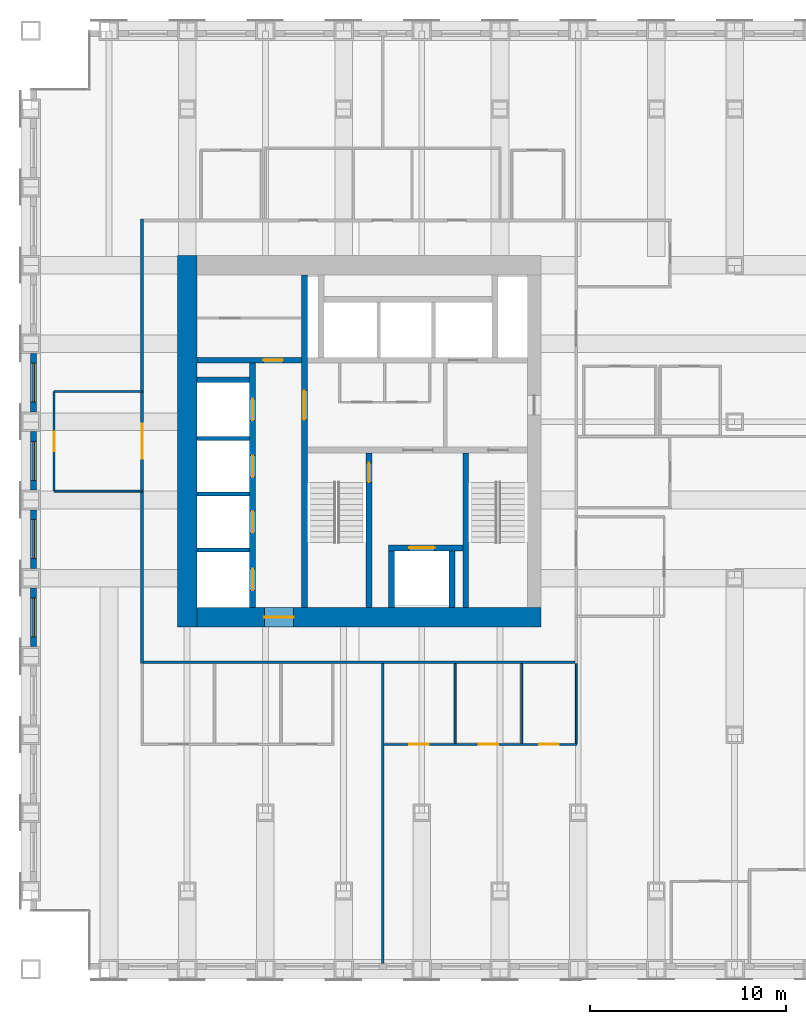
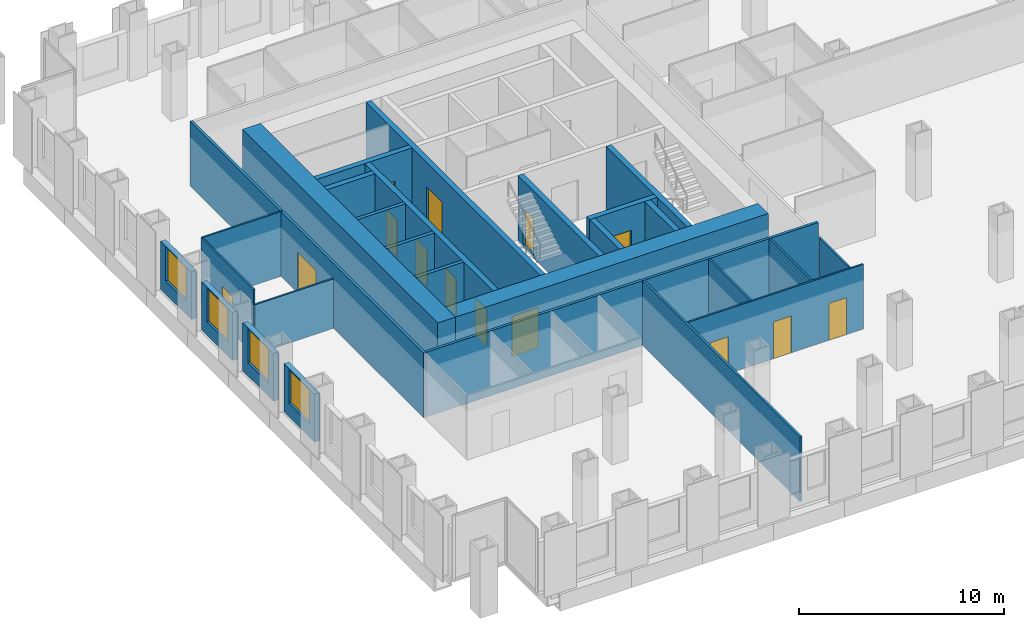
# One storey, part 11 of 16: 28 walls, 14 doors, 4 windows, 18 openings.
"""IFC4 building model written with IfcOpenShell, lengths in metres."""

from ifc_helpers import new_model, si_unit, direction, frame, frame_2d, origin, place, context, subcontext, project, spatial, rectangle, extrude, material, layer, layer_set, type_object, element, fill, save


model = new_model("IFC4")

# Units and contexts
model_context = context("Model", 3, precision=1e-05, world=origin(), true_north=direction((0.0, 1.0)))
body_context = subcontext(model_context, "Body", "Model", "MODEL_VIEW")
ifc_project = project(units=[si_unit("LENGTHUNIT", "METRE"), si_unit("AREAUNIT", "SQUARE_METRE"), si_unit("VOLUMEUNIT", "CUBIC_METRE"), si_unit("PLANEANGLEUNIT", "RADIAN"), si_unit("MASSUNIT", "GRAM", prefix="KILO")], contexts=[model_context])

# Site, building, storey
site_placement = place(None, origin())
site = spatial("IfcSite", under=ifc_project, at=site_placement, CompositionType="ELEMENT")
building_placement = place(site_placement, origin())
building = spatial("IfcBuilding", under=site, at=building_placement, Name="Rimbunsela Tower", CompositionType="ELEMENT")
storey_placement = place(building_placement, frame((0.0, 0.0, 97.39990234375)))
storey = spatial("IfcBuildingStorey", under=building, at=storey_placement, Name="L23", CompositionType="ELEMENT", Elevation=97.39990234375)

# Wall, opening, door
ifc_material_1 = material(Name="Concrete fc' 80 MPa", Category="concrete")
ifc_layer_1 = layer(ifc_material_1, 0.300048828125)
ifc_layer_set_1 = layer_set([ifc_layer_1], Name="Core internal wall 300")
wall_type_1 = type_object("IfcWallType", Name="Core internal wall 300", PredefinedType="SHEAR", material=ifc_layer_set_1)
wall_1_placement = place(storey_placement, frame((24.0, 18.5, -0.14990234375), z_axis=(0.0, 0.0, 1.0), x_axis=(0.0, 1.0, 0.0)))
wall_1 = element("IfcWall", 1, at=wall_1_placement, inside=storey, type_object=wall_type_1, Name="Core wall at stair A", PredefinedType="SHEAR", context=body_context, shape_type="SweptSolid", body=[
    extrude(rectangle(XDim=17.0, YDim=0.300048828125, at=frame_2d((8.5, 0.0))), origin(), (0.0, 0.0, 1.0), 4.0),
])
opening_1_placement = place(wall_1_placement, frame((9.60009765625, 0.0, 0.14990234375)))
opening_1 = element("IfcOpeningElement", 2, at=opening_1_placement, cuts=wall_1, Name="Opening D03", PredefinedType="OPENING", context=body_context, shape_type="SweptSolid", body=[
    extrude(rectangle(XDim=1.5, YDim=2.39990234375, at=frame_2d((0.75, 1.199951171875))), frame((0.0, 0.159912109375, 0.0), z_axis=(0.0, -1.0, 0.0), x_axis=(1.0, 0.0, 0.0)), (0.0, 0.0, 1.0), 0.320068359375),
])
ifc_material_2 = material(Name="Steel door, fire rated", Category="steel")
door_type_1 = type_object("IfcDoorType", Name="Core lobby door 1500", OperationType="DOUBLE_DOOR_DOUBLE_SWING", PredefinedType="DOOR", material=ifc_material_2)
door_1_placement = place(opening_1_placement, origin())
door_1 = element("IfcDoor", 3, at=door_1_placement, inside=storey, type_object=door_type_1, Name="West lobby door", OperationType="DOUBLE_DOOR_DOUBLE_SWING", OverallHeight=2.39990234375, OverallWidth=1.5, PredefinedType="DOOR", context=body_context, shape_type="SweptSolid", body=[
    extrude(rectangle(XDim=1.5, YDim=2.39990234375, at=frame_2d((0.75, 1.199951171875))), frame((0.0, 0.02490234375, 0.0), z_axis=(0.0, -1.0, 0.0), x_axis=(1.0, 0.0, 0.0)), (0.0, 0.0, 1.0), 0.050048828125),
])
fill(opening_1, door_1)

wall_2_placement = place(storey_placement, frame((27.300048828125, 18.5, -0.14990234375), z_axis=(0.0, 0.0, 1.0), x_axis=(0.0, 1.0, 0.0)))
wall_2 = element("IfcWall", 4, at=wall_2_placement, inside=storey, type_object=wall_type_1, Name="Stair A enclosure", PredefinedType="SHEAR", context=body_context, shape_type="SweptSolid", body=[
    extrude(rectangle(XDim=7.89990234375, YDim=0.300048828125, at=frame_2d((3.949951171875, 0.0))), origin(), (0.0, 0.0, 1.0), 4.0),
])
opening_2_placement = place(wall_2_placement, frame((6.39990234375, 0.0, 0.14990234375)))
opening_2 = element("IfcOpeningElement", 5, at=opening_2_placement, cuts=wall_2, Name="Opening D01", PredefinedType="OPENING", context=body_context, shape_type="SweptSolid", body=[
    extrude(rectangle(XDim=1.0, YDim=2.199951171875, at=frame_2d((0.5, 1.10009765625))), frame((0.0, 0.159912109375, 0.0), z_axis=(0.0, -1.0, 0.0), x_axis=(1.0, 0.0, 0.0)), (0.0, 0.0, 1.0), 0.320068359375),
])
ifc_material_3 = material(Name="Steel door, fire rated", Category="steel")
door_type_2 = type_object("IfcDoorType", Name="Stair door 1000", OperationType="SINGLE_SWING_RIGHT", PredefinedType="DOOR", material=ifc_material_3)
door_2_placement = place(opening_2_placement, origin())
door_2 = element("IfcDoor", 6, at=door_2_placement, inside=storey, type_object=door_type_2, Name="Stair A door", OperationType="SINGLE_SWING_RIGHT", OverallHeight=2.199951171875, OverallWidth=1.0, PredefinedType="DOOR", context=body_context, shape_type="SweptSolid", body=[
    extrude(rectangle(XDim=1.0, YDim=2.199951171875, at=frame_2d((0.5, 1.10009765625))), frame((0.0, 0.02490234375, 0.0), z_axis=(0.0, -1.0, 0.0), x_axis=(1.0, 0.0, 0.0)), (0.0, 0.0, 1.0), 0.050048828125),
])
fill(opening_2, door_2)

# Walls
wall_3_placement = place(storey_placement, frame((32.25, 18.5, -0.14990234375), z_axis=(0.0, 0.0, 1.0), x_axis=(0.0, 1.0, 0.0)))
element("IfcWall", 7, at=wall_3_placement, inside=storey, type_object=wall_type_1, Name="Stair B enclosure", PredefinedType="SHEAR", context=body_context, shape_type="SweptSolid", body=[
    extrude(rectangle(XDim=7.89990234375, YDim=0.300048828125, at=frame_2d((3.949951171875, 0.0))), origin(), (0.0, 0.0, 1.0), 4.0),
])
for number, where, z_axis, x_axis, name in (
    (8, (28.449951171875, 18.5, -0.14990234375), (0.0, 0.0, 1.0), (0.0, 1.0, 0.0), "Firefighting lift shaft west"),
    (9, (31.550048828125, 18.5, -0.14990234375), (0.0, 0.0, 1.0), (0.0, 1.0, 0.0), "Firefighting lift shaft east"),
):
    element("IfcWall", number, at=place(storey_placement, frame(where, z_axis=z_axis, x_axis=x_axis)), inside=storey, type_object=wall_type_1, Name=name, PredefinedType="SHEAR", context=body_context, shape_type="SweptSolid", body=[
        extrude(rectangle(XDim=2.89990234375, YDim=0.300048828125, at=frame_2d((1.449951171875, 0.0))), origin(), (0.0, 0.0, 1.0), 4.0),
    ])

# Wall, opening, door
wall_4_placement = place(storey_placement, frame((28.300048828125, 21.550048828125, -0.14990234375), z_axis=(0.0, 0.0, 1.0), x_axis=(1.0, 0.0, 0.0)))
wall_4 = element("IfcWall", 10, at=wall_4_placement, inside=storey, type_object=wall_type_1, Name="Firefighting lift shaft front", PredefinedType="SHEAR", context=body_context, shape_type="SweptSolid", body=[
    extrude(rectangle(XDim=3.800048828125, YDim=0.300048828125, at=frame_2d((1.89990234375, 0.0))), origin(), (0.0, 0.0, 1.0), 4.0),
])
opening_3_placement = place(wall_4_placement, frame((1.050048828125, 0.0, 0.14990234375)))
opening_3 = element("IfcOpeningElement", 11, at=opening_3_placement, cuts=wall_4, Name="Opening LD2", PredefinedType="OPENING", context=body_context, shape_type="SweptSolid", body=[
    extrude(rectangle(XDim=1.300048828125, YDim=2.39990234375, at=frame_2d((0.64990234375, 1.199951171875))), frame((0.0, 0.159912109375, 0.0), z_axis=(0.0, -1.0, 0.0), x_axis=(1.0, 0.0, 0.0)), (0.0, 0.0, 1.0), 0.320068359375),
])
ifc_material_4 = material(Name="Steel door, fire rated", Category="steel")
door_type_3 = type_object("IfcDoorType", Name="Lift landing door 1300", OperationType="DOUBLE_DOOR_SLIDING", PredefinedType="DOOR", material=ifc_material_4)
door_3_placement = place(opening_3_placement, origin())
door_3 = element("IfcDoor", 12, at=door_3_placement, inside=storey, type_object=door_type_3, Name="Lift landing door FL1", OperationType="DOUBLE_DOOR_SLIDING", OverallHeight=2.39990234375, OverallWidth=1.300048828125, PredefinedType="DOOR", context=body_context, shape_type="SweptSolid", body=[
    extrude(rectangle(XDim=1.300048828125, YDim=2.39990234375, at=frame_2d((0.64990234375, 1.199951171875))), frame((0.0, 0.02490234375, 0.0), z_axis=(0.0, -1.0, 0.0), x_axis=(1.0, 0.0, 0.0)), (0.0, 0.0, 1.0), 0.050048828125),
])
fill(opening_3, door_3)

# Wall, openings, doors
wall_5_placement = place(storey_placement, frame((21.35009765625, 18.5, -0.14990234375), z_axis=(0.0, 0.0, 1.0), x_axis=(0.0, 1.0, 0.0)))
wall_5 = element("IfcWall", 13, at=wall_5_placement, inside=storey, type_object=wall_type_1, Name="Lift shaft front west", PredefinedType="SHEAR", context=body_context, shape_type="SweptSolid", body=[
    extrude(rectangle(XDim=12.5, YDim=0.300048828125, at=frame_2d((6.25, 0.0))), origin(), (0.0, 0.0, 1.0), 4.0),
])
opening_4_placement = place(wall_5_placement, frame((0.875, 0.0, 0.14990234375)))
opening_4 = element("IfcOpeningElement", 14, at=opening_4_placement, cuts=wall_5, Name="Opening LD1", PredefinedType="OPENING", context=body_context, shape_type="SweptSolid", body=[
    extrude(rectangle(XDim=1.10009765625, YDim=2.199951171875, at=frame_2d((0.550048828125, 1.10009765625))), frame((0.0, 0.159912109375, 0.0), z_axis=(0.0, -1.0, 0.0), x_axis=(1.0, 0.0, 0.0)), (0.0, 0.0, 1.0), 0.320068359375),
])
opening_5_placement = place(wall_5_placement, frame((3.824951171875, 0.0, 0.14990234375)))
opening_5 = element("IfcOpeningElement", 15, at=opening_5_placement, cuts=wall_5, Name="Opening LD1", PredefinedType="OPENING", context=body_context, shape_type="SweptSolid", body=[
    extrude(rectangle(XDim=1.10009765625, YDim=2.199951171875, at=frame_2d((0.550048828125, 1.10009765625))), frame((0.0, 0.159912109375, 0.0), z_axis=(0.0, -1.0, 0.0), x_axis=(1.0, 0.0, 0.0)), (0.0, 0.0, 1.0), 0.320068359375),
])
opening_6_placement = place(wall_5_placement, frame((6.675048828125, 0.0, 0.14990234375)))
opening_6 = element("IfcOpeningElement", 16, at=opening_6_placement, cuts=wall_5, Name="Opening LD1", PredefinedType="OPENING", context=body_context, shape_type="SweptSolid", body=[
    extrude(rectangle(XDim=1.10009765625, YDim=2.199951171875, at=frame_2d((0.550048828125, 1.10009765625))), frame((0.0, 0.159912109375, 0.0), z_axis=(0.0, -1.0, 0.0), x_axis=(1.0, 0.0, 0.0)), (0.0, 0.0, 1.0), 0.320068359375),
])
opening_7_placement = place(wall_5_placement, frame((9.574951171875, 0.0, 0.14990234375)))
opening_7 = element("IfcOpeningElement", 17, at=opening_7_placement, cuts=wall_5, Name="Opening LD1", PredefinedType="OPENING", context=body_context, shape_type="SweptSolid", body=[
    extrude(rectangle(XDim=1.10009765625, YDim=2.199951171875, at=frame_2d((0.550048828125, 1.10009765625))), frame((0.0, 0.159912109375, 0.0), z_axis=(0.0, -1.0, 0.0), x_axis=(1.0, 0.0, 0.0)), (0.0, 0.0, 1.0), 0.320068359375),
])
ifc_material_5 = material(Name="Steel door, fire rated", Category="steel")
door_type_4 = type_object("IfcDoorType", Name="Lift landing door 1100", OperationType="DOUBLE_DOOR_SLIDING", PredefinedType="DOOR", material=ifc_material_5)
door_4_placement = place(opening_4_placement, origin())
door_4 = element("IfcDoor", 18, at=door_4_placement, inside=storey, type_object=door_type_4, Name="Lift landing door ML1", OperationType="DOUBLE_DOOR_SLIDING", OverallHeight=2.199951171875, OverallWidth=1.10009765625, PredefinedType="DOOR", context=body_context, shape_type="SweptSolid", body=[
    extrude(rectangle(XDim=1.10009765625, YDim=2.199951171875, at=frame_2d((0.550048828125, 1.10009765625))), frame((0.0, 0.02490234375, 0.0), z_axis=(0.0, -1.0, 0.0), x_axis=(1.0, 0.0, 0.0)), (0.0, 0.0, 1.0), 0.050048828125),
])
fill(opening_4, door_4)
door_5_placement = place(opening_5_placement, origin())
door_5 = element("IfcDoor", 19, at=door_5_placement, inside=storey, type_object=door_type_4, Name="Lift landing door ML2", OperationType="DOUBLE_DOOR_SLIDING", OverallHeight=2.199951171875, OverallWidth=1.10009765625, PredefinedType="DOOR", context=body_context, shape_type="SweptSolid", body=[
    extrude(rectangle(XDim=1.10009765625, YDim=2.199951171875, at=frame_2d((0.550048828125, 1.10009765625))), frame((0.0, 0.02490234375, 0.0), z_axis=(0.0, -1.0, 0.0), x_axis=(1.0, 0.0, 0.0)), (0.0, 0.0, 1.0), 0.050048828125),
])
fill(opening_5, door_5)
door_6_placement = place(opening_6_placement, origin())
door_6 = element("IfcDoor", 20, at=door_6_placement, inside=storey, type_object=door_type_4, Name="Lift landing door ML3", OperationType="DOUBLE_DOOR_SLIDING", OverallHeight=2.199951171875, OverallWidth=1.10009765625, PredefinedType="DOOR", context=body_context, shape_type="SweptSolid", body=[
    extrude(rectangle(XDim=1.10009765625, YDim=2.199951171875, at=frame_2d((0.550048828125, 1.10009765625))), frame((0.0, 0.02490234375, 0.0), z_axis=(0.0, -1.0, 0.0), x_axis=(1.0, 0.0, 0.0)), (0.0, 0.0, 1.0), 0.050048828125),
])
fill(opening_6, door_6)
door_7_placement = place(opening_7_placement, origin())
door_7 = element("IfcDoor", 21, at=door_7_placement, inside=storey, type_object=door_type_4, Name="Lift landing door ML4", OperationType="DOUBLE_DOOR_SLIDING", OverallHeight=2.199951171875, OverallWidth=1.10009765625, PredefinedType="DOOR", context=body_context, shape_type="SweptSolid", body=[
    extrude(rectangle(XDim=1.10009765625, YDim=2.199951171875, at=frame_2d((0.550048828125, 1.10009765625))), frame((0.0, 0.02490234375, 0.0), z_axis=(0.0, -1.0, 0.0), x_axis=(1.0, 0.0, 0.0)), (0.0, 0.0, 1.0), 0.050048828125),
])
fill(opening_7, door_7)

# Wall, opening, door
wall_6_placement = place(storey_placement, frame((18.5, 31.14990234375, -0.14990234375), z_axis=(0.0, 0.0, 1.0), x_axis=(1.0, 0.0, 0.0)))
wall_6 = element("IfcWall", 22, at=wall_6_placement, inside=storey, type_object=wall_type_1, Name="Store wall", PredefinedType="SHEAR", context=body_context, shape_type="SweptSolid", body=[
    extrude(rectangle(XDim=5.35009765625, YDim=0.300048828125, at=frame_2d((2.675048828125, 0.0))), origin(), (0.0, 0.0, 1.0), 4.0),
])
opening_8_placement = place(wall_6_placement, frame((3.39990234375, 0.0, 0.14990234375)))
opening_8 = element("IfcOpeningElement", 23, at=opening_8_placement, cuts=wall_6, Name="Opening D19", PredefinedType="OPENING", context=body_context, shape_type="SweptSolid", body=[
    extrude(rectangle(XDim=1.0, YDim=2.199951171875, at=frame_2d((0.5, 1.10009765625))), frame((0.0, 0.159912109375, 0.0), z_axis=(0.0, -1.0, 0.0), x_axis=(1.0, 0.0, 0.0)), (0.0, 0.0, 1.0), 0.320068359375),
])
ifc_material_6 = material(Name="Steel door, fire rated", Category="steel")
door_type_5 = type_object("IfcDoorType", Name="Service door 1000 fire rated", OperationType="SINGLE_SWING_LEFT", PredefinedType="DOOR", material=ifc_material_6)
door_8_placement = place(opening_8_placement, origin())
door_8 = element("IfcDoor", 24, at=door_8_placement, inside=storey, type_object=door_type_5, Name="Cleaners store door", OperationType="SINGLE_SWING_LEFT", OverallHeight=2.199951171875, OverallWidth=1.0, PredefinedType="DOOR", context=body_context, shape_type="SweptSolid", body=[
    extrude(rectangle(XDim=1.0, YDim=2.199951171875, at=frame_2d((0.5, 1.10009765625))), frame((0.0, 0.02490234375, 0.0), z_axis=(0.0, -1.0, 0.0), x_axis=(1.0, 0.0, 0.0)), (0.0, 0.0, 1.0), 0.050048828125),
])
fill(opening_8, door_8)

# Walls
wall_7_placement = place(storey_placement, frame((18.5, 30.14990234375, -0.14990234375), z_axis=(0.0, 0.0, 1.0), x_axis=(1.0, 0.0, 0.0)))
element("IfcWall", 25, at=wall_7_placement, inside=storey, type_object=wall_type_1, Name="Lift shaft rear west", PredefinedType="SHEAR", context=body_context, shape_type="SweptSolid", body=[
    extrude(rectangle(XDim=2.699951171875, YDim=0.300048828125, at=frame_2d((1.35009765625, 0.0))), origin(), (0.0, 0.0, 1.0), 4.0),
])
ifc_material_7 = material(Name="Concrete fc' 80 MPa", Category="concrete")
ifc_layer_2 = layer(ifc_material_7, 1.0)
ifc_layer_set_2 = layer_set([ifc_layer_2], Name="Core wall 1000")
wall_type_2 = type_object("IfcWallType", Name="Core wall 1000", PredefinedType="SHEAR", material=ifc_layer_set_2)
wall_8_placement = place(storey_placement, frame((18.0, 17.5, -0.14990234375), z_axis=(0.0, 0.0, 1.0), x_axis=(0.0, 1.0, 0.0)))
element("IfcWall", 26, at=wall_8_placement, inside=storey, type_object=wall_type_2, Name="Core wall west", PredefinedType="SHEAR", context=body_context, shape_type="SweptSolid", body=[
    extrude(rectangle(XDim=19.0, YDim=1.0, at=frame_2d((9.5, 0.0))), origin(), (0.0, 0.0, 1.0), 4.0),
])

# Wall, opening, door
wall_9_placement = place(storey_placement, frame((18.5, 18.0, -0.14990234375), z_axis=(0.0, 0.0, 1.0), x_axis=(1.0, 0.0, 0.0)))
wall_9 = element("IfcWall", 27, at=wall_9_placement, inside=storey, type_object=wall_type_2, Name="Core wall south", PredefinedType="SHEAR", context=body_context, shape_type="SweptSolid", body=[
    extrude(rectangle(XDim=17.60009765625, YDim=1.0, at=frame_2d((8.800048828125, 0.0))), origin(), (0.0, 0.0, 1.0), 4.0),
])
opening_9_placement = place(wall_9_placement, frame((3.449951171875, 0.0, 0.14990234375)))
opening_9 = element("IfcOpeningElement", 28, at=opening_9_placement, cuts=wall_9, Name="Opening D03", PredefinedType="OPENING", context=body_context, shape_type="SweptSolid", body=[
    extrude(rectangle(XDim=1.5, YDim=2.39990234375, at=frame_2d((0.75, 1.199951171875))), frame((0.0, 0.510009765625, 0.0), z_axis=(0.0, -1.0, 0.0), x_axis=(1.0, 0.0, 0.0)), (0.0, 0.0, 1.0), 1.02001953125),
])
door_9_placement = place(opening_9_placement, origin())
door_9 = element("IfcDoor", 29, at=door_9_placement, inside=storey, type_object=door_type_1, Name="Core door south", OperationType="DOUBLE_DOOR_DOUBLE_SWING", OverallHeight=2.39990234375, OverallWidth=1.5, PredefinedType="DOOR", context=body_context, shape_type="SweptSolid", body=[
    extrude(rectangle(XDim=1.5, YDim=2.39990234375, at=frame_2d((0.75, 1.199951171875))), frame((0.0, 0.02490234375, 0.0), z_axis=(0.0, -1.0, 0.0), x_axis=(1.0, 0.0, 0.0)), (0.0, 0.0, 1.0), 0.050048828125),
])
fill(opening_9, door_9)

# Walls
ifc_material_8 = material(Name="Concrete blockwork", Category="masonry")
ifc_layer_3 = layer(ifc_material_8, 0.199951171875)
ifc_layer_set_3 = layer_set([ifc_layer_3], Name="Lift shaft wall 200")
wall_type_3 = type_object("IfcWallType", Name="Lift shaft wall 200", PredefinedType="SOLIDWALL", material=ifc_layer_set_3)
for number, where, z_axis, x_axis, name in (
    (30, (18.5, 21.449951171875, -0.14990234375), (0.0, 0.0, 1.0), (1.0, 0.0, 0.0), "Lift shaft separation"),
    (31, (18.5, 24.300048828125, -0.14990234375), (0.0, 0.0, 1.0), (1.0, 0.0, 0.0), "Lift shaft separation"),
    (32, (18.5, 27.14990234375, -0.14990234375), (0.0, 0.0, 1.0), (1.0, 0.0, 0.0), "Lift shaft separation"),
):
    element("IfcWall", number, at=place(storey_placement, frame(where, z_axis=z_axis, x_axis=x_axis)), inside=storey, type_object=wall_type_3, Name=name, PredefinedType="SOLIDWALL", context=body_context, shape_type="SweptSolid", body=[
        extrude(rectangle(XDim=2.699951171875, YDim=0.199951171875, at=frame_2d((1.35009765625, 0.0))), origin(), (0.0, 0.0, 1.0), 4.0),
    ])

# Wall, openings, doors
ifc_material_9 = material(Name="Gypsum board on steel studs", Category="steel")
ifc_layer_4 = layer(ifc_material_9, 0.10009765625)
ifc_layer_set_4 = layer_set([ifc_layer_4], Name="Office partition 100")
wall_type_4 = type_object("IfcWallType", Name="Office partition 100", PredefinedType="PARTITIONING", material=ifc_layer_set_4)
wall_10_placement = place(storey_placement, frame((28.06103515625, 11.5, 0.0), z_axis=(0.0, 0.0, 1.0), x_axis=(1.0, 0.0, 0.0)))
wall_10 = element("IfcWall", 33, at=wall_10_placement, inside=storey, type_object=wall_type_4, Name="Office partition", PredefinedType="PARTITIONING", context=body_context, shape_type="SweptSolid", body=[
    extrude(rectangle(XDim=9.888916015625, YDim=0.10009765625, at=frame_2d((4.9443359375, 0.0))), origin(), (0.0, 0.0, 1.0), 3.85009765625),
])
opening_10_placement = place(wall_10_placement, frame((1.2900390625, 0.0, 0.0)))
opening_10 = element("IfcOpeningElement", 34, at=opening_10_placement, cuts=wall_10, Name="Opening D17", PredefinedType="OPENING", context=body_context, shape_type="SweptSolid", body=[
    extrude(rectangle(XDim=1.0, YDim=2.199951171875, at=frame_2d((0.5, 1.10009765625))), frame((0.0, 0.06005859375, 0.0), z_axis=(0.0, -1.0, 0.0), x_axis=(1.0, 0.0, 0.0)), (0.0, 0.0, 1.0), 0.1201171875),
])
opening_11_placement = place(wall_10_placement, frame((4.840087890625, 0.0, 0.0)))
opening_11 = element("IfcOpeningElement", 35, at=opening_11_placement, cuts=wall_10, Name="Opening D16", PredefinedType="OPENING", context=body_context, shape_type="SweptSolid", body=[
    extrude(rectangle(XDim=1.0, YDim=2.199951171875, at=frame_2d((0.5, 1.10009765625))), frame((0.0, 0.06005859375, 0.0), z_axis=(0.0, -1.0, 0.0), x_axis=(1.0, 0.0, 0.0)), (0.0, 0.0, 1.0), 0.1201171875),
])
opening_12_placement = place(wall_10_placement, frame((7.939453125, 0.0, 0.0)))
opening_12 = element("IfcOpeningElement", 36, at=opening_12_placement, cuts=wall_10, Name="Opening D16", PredefinedType="OPENING", context=body_context, shape_type="SweptSolid", body=[
    extrude(rectangle(XDim=1.0, YDim=2.199951171875, at=frame_2d((0.5, 1.10009765625))), frame((0.0, 0.06005859375, 0.0), z_axis=(0.0, -1.0, 0.0), x_axis=(1.0, 0.0, 0.0)), (0.0, 0.0, 1.0), 0.1201171875),
])
ifc_material_10 = material(Name="Glazed aluminium door", Category="aluminium")
door_type_6 = type_object("IfcDoorType", Name="Meeting room door 1000 glazed", OperationType="SINGLE_SWING_RIGHT", PredefinedType="DOOR", material=ifc_material_10)
door_10_placement = place(opening_10_placement, origin())
door_10 = element("IfcDoor", 37, at=door_10_placement, inside=storey, type_object=door_type_6, Name="Meeting room door", OperationType="SINGLE_SWING_RIGHT", OverallHeight=2.199951171875, OverallWidth=1.0, PredefinedType="DOOR", context=body_context, shape_type="SweptSolid", body=[
    extrude(rectangle(XDim=1.0, YDim=2.199951171875, at=frame_2d((0.5, 1.10009765625))), frame((0.0, 0.02490234375, 0.0), z_axis=(0.0, -1.0, 0.0), x_axis=(1.0, 0.0, 0.0)), (0.0, 0.0, 1.0), 0.050048828125),
])
fill(opening_10, door_10)
ifc_material_11 = material(Name="Timber door", Category="wood")
door_type_7 = type_object("IfcDoorType", Name="Office door 1000", OperationType="SINGLE_SWING_LEFT", PredefinedType="DOOR", material=ifc_material_11)
door_11_placement = place(opening_11_placement, origin())
door_11 = element("IfcDoor", 38, at=door_11_placement, inside=storey, type_object=door_type_7, Name="Office door", OperationType="SINGLE_SWING_LEFT", OverallHeight=2.199951171875, OverallWidth=1.0, PredefinedType="DOOR", context=body_context, shape_type="SweptSolid", body=[
    extrude(rectangle(XDim=1.0, YDim=2.199951171875, at=frame_2d((0.5, 1.10009765625))), frame((0.0, 0.02490234375, 0.0), z_axis=(0.0, -1.0, 0.0), x_axis=(1.0, 0.0, 0.0)), (0.0, 0.0, 1.0), 0.050048828125),
])
fill(opening_11, door_11)
door_12_placement = place(opening_12_placement, origin())
door_12 = element("IfcDoor", 39, at=door_12_placement, inside=storey, type_object=door_type_7, Name="Office door", OperationType="SINGLE_SWING_LEFT", OverallHeight=2.199951171875, OverallWidth=1.0, PredefinedType="DOOR", context=body_context, shape_type="SweptSolid", body=[
    extrude(rectangle(XDim=1.0, YDim=2.199951171875, at=frame_2d((0.5, 1.10009765625))), frame((0.0, 0.02490234375, 0.0), z_axis=(0.0, -1.0, 0.0), x_axis=(1.0, 0.0, 0.0)), (0.0, 0.0, 1.0), 0.050048828125),
])
fill(opening_12, door_12)

# Walls
for number, where, z_axis, x_axis, name in (
    (40, (31.700927734375, 11.550048828125, 0.0), (0.0, 0.0, 1.0), (0.0, 1.0, 0.0), "Office partition"),
    (41, (35.10107421875, 11.550048828125, 0.0), (0.0, 0.0, 1.0), (0.0, 1.0, 0.0), "Office partition"),
):
    element("IfcWall", number, at=place(storey_placement, frame(where, z_axis=z_axis, x_axis=x_axis)), inside=storey, type_object=wall_type_4, Name=name, PredefinedType="PARTITIONING", context=body_context, shape_type="SweptSolid", body=[
        extrude(rectangle(XDim=4.074951171875, YDim=0.10009765625, at=frame_2d((2.03759765625, 0.0))), origin(), (0.0, 0.0, 1.0), 3.85009765625),
    ])
wall_11_placement = place(storey_placement, frame((37.89990234375, 11.550048828125, 0.0), z_axis=(0.0, 0.0, 1.0), x_axis=(0.0, 1.0, 0.0)))
element("IfcWall", 42, at=wall_11_placement, inside=storey, type_object=wall_type_4, Name="Office partition", PredefinedType="PARTITIONING", context=body_context, shape_type="SweptSolid", body=[
    extrude(rectangle(XDim=4.074951171875, YDim=0.10009765625, at=frame_2d((2.03759765625, 0.0))), origin(), (0.0, 0.0, 1.0), 2.9501953125),
])
wall_12_placement = place(storey_placement, frame((15.699951171875, 29.550048828125, 0.0), z_axis=(0.0, 0.0, 1.0), x_axis=(-1.0, 0.0, 0.0)))
element("IfcWall", 43, at=wall_12_placement, inside=storey, type_object=wall_type_4, Name="Office partition", PredefinedType="PARTITIONING", context=body_context, shape_type="SweptSolid", body=[
    extrude(rectangle(XDim=4.5, YDim=0.10009765625, at=frame_2d((2.25, 0.0))), origin(), (0.0, 0.0, 1.0), 3.85009765625),
])

# Wall, opening, door
wall_13_placement = place(storey_placement, frame((11.199951171875, 29.550048828125, 0.0), z_axis=(0.0, 0.0, 1.0), x_axis=(0.0, -1.0, 0.0)))
wall_13 = element("IfcWall", 44, at=wall_13_placement, inside=storey, type_object=wall_type_4, Name="Office partition", PredefinedType="PARTITIONING", context=body_context, shape_type="SweptSolid", body=[
    extrude(rectangle(XDim=5.10009765625, YDim=0.10009765625, at=frame_2d((2.550048828125, 0.0))), origin(), (0.0, 0.0, 1.0), 3.85009765625),
])
opening_13_placement = place(wall_13_placement, frame((2.050048828125, 0.0, 0.0)))
opening_13 = element("IfcOpeningElement", 45, at=opening_13_placement, cuts=wall_13, Name="Opening D17", PredefinedType="OPENING", context=body_context, shape_type="SweptSolid", body=[
    extrude(rectangle(XDim=1.0, YDim=2.199951171875, at=frame_2d((0.5, 1.10009765625))), frame((0.0, 0.06005859375, 0.0), z_axis=(0.0, -1.0, 0.0), x_axis=(1.0, 0.0, 0.0)), (0.0, 0.0, 1.0), 0.1201171875),
])
door_13_placement = place(opening_13_placement, origin())
door_13 = element("IfcDoor", 46, at=door_13_placement, inside=storey, type_object=door_type_6, Name="Reception door", OperationType="SINGLE_SWING_RIGHT", OverallHeight=2.199951171875, OverallWidth=1.0, PredefinedType="DOOR", context=body_context, shape_type="SweptSolid", body=[
    extrude(rectangle(XDim=1.0, YDim=2.199951171875, at=frame_2d((0.5, 1.10009765625))), frame((0.0, 0.02490234375, 0.0), z_axis=(0.0, -1.0, 0.0), x_axis=(1.0, 0.0, 0.0)), (0.0, 0.0, 1.0), 0.050048828125),
])
fill(opening_13, door_13)

# Wall
wall_14_placement = place(storey_placement, frame((11.199951171875, 24.449951171875, 0.0), z_axis=(0.0, 0.0, 1.0), x_axis=(1.0, 0.0, 0.0)))
element("IfcWall", 47, at=wall_14_placement, inside=storey, type_object=wall_type_4, Name="Office partition", PredefinedType="PARTITIONING", context=body_context, shape_type="SweptSolid", body=[
    extrude(rectangle(XDim=4.5, YDim=0.10009765625, at=frame_2d((2.25, 0.0))), origin(), (0.0, 0.0, 1.0), 2.9501953125),
])

# Wall, opening, window
ifc_material_12 = material(Name="Precast concrete fc' 35 MPa", Category="concrete")
ifc_layer_5 = layer(ifc_material_12, 0.300048828125)
ifc_layer_set_5 = layer_set([ifc_layer_5], Name="Precast concrete fc' 35 MPa")
wall_type_5 = type_object("IfcWallType", Name="Precast facade panel 300", PredefinedType="ELEMENTEDWALL", material=ifc_layer_set_5)
wall_15_placement = place(storey_placement, frame((10.14990234375, 19.5, 0.0), z_axis=(0.0, 0.0, 1.0), x_axis=(0.0, -1.0, 0.0)))
wall_15 = element("IfcWall", 48, at=wall_15_placement, inside=storey, type_object=wall_type_5, Name="Facade panel W L23", PredefinedType="ELEMENTEDWALL", context=body_context, shape_type="SweptSolid", body=[
    extrude(rectangle(XDim=3.0, YDim=0.300048828125, at=frame_2d((1.5, 0.0))), origin(), (0.0, 0.0, 1.0), 2.85009765625),
])
opening_14_placement = place(wall_15_placement, frame((0.5, 0.0, 0.800048828125)))
opening_14 = element("IfcOpeningElement", 49, at=opening_14_placement, cuts=wall_15, Name="Opening W1", PredefinedType="OPENING", context=body_context, shape_type="SweptSolid", body=[
    extrude(rectangle(XDim=2.0, YDim=2.0, at=frame_2d((1.0, 1.0))), frame((0.0, 0.159912109375, 0.0), z_axis=(0.0, -1.0, 0.0), x_axis=(1.0, 0.0, 0.0)), (0.0, 0.0, 1.0), 0.320068359375),
])
ifc_material_13 = material(Name="Clear glass in aluminium frame", Category="aluminium")
window_type = type_object("IfcWindowType", Name="Window W1 2000x2000", PartitioningType="DOUBLE_PANEL_VERTICAL", PredefinedType="WINDOW", material=ifc_material_13)
window_1_placement = place(opening_14_placement, origin())
window_1 = element("IfcWindow", 50, at=window_1_placement, inside=storey, type_object=window_type, Name="Window L23", OverallHeight=2.0, OverallWidth=2.0, PartitioningType="SINGLE_PANEL", PredefinedType="WINDOW", context=body_context, shape_type="SweptSolid", body=[
    extrude(rectangle(XDim=2.0, YDim=2.0, at=frame_2d((1.0, 1.0))), frame((0.0, 0.030029296875, 0.0), z_axis=(0.0, -1.0, 0.0), x_axis=(1.0, 0.0, 0.0)), (0.0, 0.0, 1.0), 0.06005859375),
])
fill(opening_14, window_1)

wall_16_placement = place(storey_placement, frame((10.14990234375, 23.5, 0.0), z_axis=(0.0, 0.0, 1.0), x_axis=(0.0, -1.0, 0.0)))
wall_16 = element("IfcWall", 51, at=wall_16_placement, inside=storey, type_object=wall_type_5, Name="Facade panel W L23", PredefinedType="ELEMENTEDWALL", context=body_context, shape_type="SweptSolid", body=[
    extrude(rectangle(XDim=3.0, YDim=0.300048828125, at=frame_2d((1.5, 0.0))), origin(), (0.0, 0.0, 1.0), 2.85009765625),
])
opening_15_placement = place(wall_16_placement, frame((0.5, 0.0, 0.800048828125)))
opening_15 = element("IfcOpeningElement", 52, at=opening_15_placement, cuts=wall_16, Name="Opening W1", PredefinedType="OPENING", context=body_context, shape_type="SweptSolid", body=[
    extrude(rectangle(XDim=2.0, YDim=2.0, at=frame_2d((1.0, 1.0))), frame((0.0, 0.159912109375, 0.0), z_axis=(0.0, -1.0, 0.0), x_axis=(1.0, 0.0, 0.0)), (0.0, 0.0, 1.0), 0.320068359375),
])
window_2_placement = place(opening_15_placement, origin())
window_2 = element("IfcWindow", 53, at=window_2_placement, inside=storey, type_object=window_type, Name="Window L23", OverallHeight=2.0, OverallWidth=2.0, PartitioningType="SINGLE_PANEL", PredefinedType="WINDOW", context=body_context, shape_type="SweptSolid", body=[
    extrude(rectangle(XDim=2.0, YDim=2.0, at=frame_2d((1.0, 1.0))), frame((0.0, 0.030029296875, 0.0), z_axis=(0.0, -1.0, 0.0), x_axis=(1.0, 0.0, 0.0)), (0.0, 0.0, 1.0), 0.06005859375),
])
fill(opening_15, window_2)

wall_17_placement = place(storey_placement, frame((10.14990234375, 27.5, 0.0), z_axis=(0.0, 0.0, 1.0), x_axis=(0.0, -1.0, 0.0)))
wall_17 = element("IfcWall", 54, at=wall_17_placement, inside=storey, type_object=wall_type_5, Name="Facade panel W L23", PredefinedType="ELEMENTEDWALL", context=body_context, shape_type="SweptSolid", body=[
    extrude(rectangle(XDim=3.0, YDim=0.300048828125, at=frame_2d((1.5, 0.0))), origin(), (0.0, 0.0, 1.0), 2.85009765625),
])
opening_16_placement = place(wall_17_placement, frame((0.5, 0.0, 0.800048828125)))
opening_16 = element("IfcOpeningElement", 55, at=opening_16_placement, cuts=wall_17, Name="Opening W1", PredefinedType="OPENING", context=body_context, shape_type="SweptSolid", body=[
    extrude(rectangle(XDim=2.0, YDim=2.0, at=frame_2d((1.0, 1.0))), frame((0.0, 0.159912109375, 0.0), z_axis=(0.0, -1.0, 0.0), x_axis=(1.0, 0.0, 0.0)), (0.0, 0.0, 1.0), 0.320068359375),
])
window_3_placement = place(opening_16_placement, origin())
window_3 = element("IfcWindow", 56, at=window_3_placement, inside=storey, type_object=window_type, Name="Window L23", OverallHeight=2.0, OverallWidth=2.0, PartitioningType="SINGLE_PANEL", PredefinedType="WINDOW", context=body_context, shape_type="SweptSolid", body=[
    extrude(rectangle(XDim=2.0, YDim=2.0, at=frame_2d((1.0, 1.0))), frame((0.0, 0.030029296875, 0.0), z_axis=(0.0, -1.0, 0.0), x_axis=(1.0, 0.0, 0.0)), (0.0, 0.0, 1.0), 0.06005859375),
])
fill(opening_16, window_3)

wall_18_placement = place(storey_placement, frame((10.14990234375, 31.5, 0.0), z_axis=(0.0, 0.0, 1.0), x_axis=(0.0, -1.0, 0.0)))
wall_18 = element("IfcWall", 57, at=wall_18_placement, inside=storey, type_object=wall_type_5, Name="Facade panel W L23", PredefinedType="ELEMENTEDWALL", context=body_context, shape_type="SweptSolid", body=[
    extrude(rectangle(XDim=3.0, YDim=0.300048828125, at=frame_2d((1.5, 0.0))), origin(), (0.0, 0.0, 1.0), 2.85009765625),
])
opening_17_placement = place(wall_18_placement, frame((0.5, 0.0, 0.800048828125)))
opening_17 = element("IfcOpeningElement", 58, at=opening_17_placement, cuts=wall_18, Name="Opening W1", PredefinedType="OPENING", context=body_context, shape_type="SweptSolid", body=[
    extrude(rectangle(XDim=2.0, YDim=2.0, at=frame_2d((1.0, 1.0))), frame((0.0, 0.159912109375, 0.0), z_axis=(0.0, -1.0, 0.0), x_axis=(1.0, 0.0, 0.0)), (0.0, 0.0, 1.0), 0.320068359375),
])
window_4_placement = place(opening_17_placement, origin())
window_4 = element("IfcWindow", 59, at=window_4_placement, inside=storey, type_object=window_type, Name="Window L23", OverallHeight=2.0, OverallWidth=2.0, PartitioningType="SINGLE_PANEL", PredefinedType="WINDOW", context=body_context, shape_type="SweptSolid", body=[
    extrude(rectangle(XDim=2.0, YDim=2.0, at=frame_2d((1.0, 1.0))), frame((0.0, 0.030029296875, 0.0), z_axis=(0.0, -1.0, 0.0), x_axis=(1.0, 0.0, 0.0)), (0.0, 0.0, 1.0), 0.06005859375),
])
fill(opening_17, window_4)

# Wall, opening, door
ifc_material_14 = material(Name="Fire-rated gypsum board on steel studs, EI 60", Category="steel")
ifc_layer_6 = layer(ifc_material_14, 0.14990234375)
ifc_layer_set_6 = layer_set([ifc_layer_6], Name="Rated corridor wall 150")
wall_type_6 = type_object("IfcWallType", Name="Rated corridor wall 150", PredefinedType="PARTITIONING", material=ifc_layer_set_6)
wall_19_placement = place(storey_placement, frame((15.699951171875, 15.625, 0.0), z_axis=(0.0, 0.0, 1.0), x_axis=(0.0, 1.0, 0.0)))
wall_19 = element("IfcWall", 60, at=wall_19_placement, inside=storey, type_object=wall_type_6, Name="Corridor wall west", PredefinedType="PARTITIONING", context=body_context, shape_type="SweptSolid", body=[
    extrude(rectangle(XDim=22.75, YDim=0.14990234375, at=frame_2d((11.375, 0.0))), origin(), (0.0, 0.0, 1.0), 3.85009765625),
])
opening_18_placement = place(wall_19_placement, frame((10.47509765625, 0.0, 0.0)))
opening_18 = element("IfcOpeningElement", 61, at=opening_18_placement, cuts=wall_19, Name="Opening D09", PredefinedType="OPENING", context=body_context, shape_type="SweptSolid", body=[
    extrude(rectangle(XDim=1.800048828125, YDim=2.39990234375, at=frame_2d((0.89990234375, 1.199951171875))), frame((0.0, 0.0849609375, 0.0), z_axis=(0.0, -1.0, 0.0), x_axis=(1.0, 0.0, 0.0)), (0.0, 0.0, 1.0), 0.169921875),
])
ifc_material_15 = material(Name="Glazed aluminium door, fire rated", Category="aluminium")
door_type_8 = type_object("IfcDoorType", Name="Tenancy door 1800 glazed", OperationType="DOUBLE_DOOR_DOUBLE_SWING", PredefinedType="DOOR", material=ifc_material_15)
door_14_placement = place(opening_18_placement, origin())
door_14 = element("IfcDoor", 62, at=door_14_placement, inside=storey, type_object=door_type_8, Name="Tenancy door", OperationType="DOUBLE_DOOR_DOUBLE_SWING", OverallHeight=2.39990234375, OverallWidth=1.800048828125, PredefinedType="DOOR", context=body_context, shape_type="SweptSolid", body=[
    extrude(rectangle(XDim=1.800048828125, YDim=2.39990234375, at=frame_2d((0.89990234375, 1.199951171875))), frame((0.0, 0.02490234375, 0.0), z_axis=(0.0, -1.0, 0.0), x_axis=(1.0, 0.0, 0.0)), (0.0, 0.0, 1.0), 0.050048828125),
])
fill(opening_18, door_14)

# Walls
wall_20_placement = place(storey_placement, frame((15.77490234375, 15.699951171875, 0.0), z_axis=(0.0, 0.0, 1.0), x_axis=(1.0, 0.0, 0.0)))
element("IfcWall", 63, at=wall_20_placement, inside=storey, type_object=wall_type_6, Name="Corridor wall south", PredefinedType="PARTITIONING", context=body_context, shape_type="SweptSolid", body=[
    extrude(rectangle(XDim=22.050048828125, YDim=0.14990234375, at=frame_2d((11.02490234375, 0.0))), origin(), (0.0, 0.0, 1.0), 3.85009765625),
])
ifc_material_16 = material(Name="Gypsum board on steel studs", Category="steel")
ifc_layer_7 = layer(ifc_material_16, 0.1201171875)
ifc_layer_set_7 = layer_set([ifc_layer_7], Name="Tenancy partition 120")
wall_type_7 = type_object("IfcWallType", Name="Tenancy partition 120", PredefinedType="PARTITIONING", material=ifc_layer_set_7)
wall_21_placement = place(storey_placement, frame((28.0, 0.300048828125, 0.0), z_axis=(0.0, 0.0, 1.0), x_axis=(0.0, 1.0, 0.0)))
element("IfcWall", 64, at=wall_21_placement, inside=storey, type_object=wall_type_7, Name="Tenancy partition south", PredefinedType="PARTITIONING", context=body_context, shape_type="SweptSolid", body=[
    extrude(rectangle(XDim=15.324951171875, YDim=0.1201171875, at=frame_2d((7.66259765625, 0.0))), origin(), (0.0, 0.0, 1.0), 3.85009765625),
])

save(model, "model.ifc")
